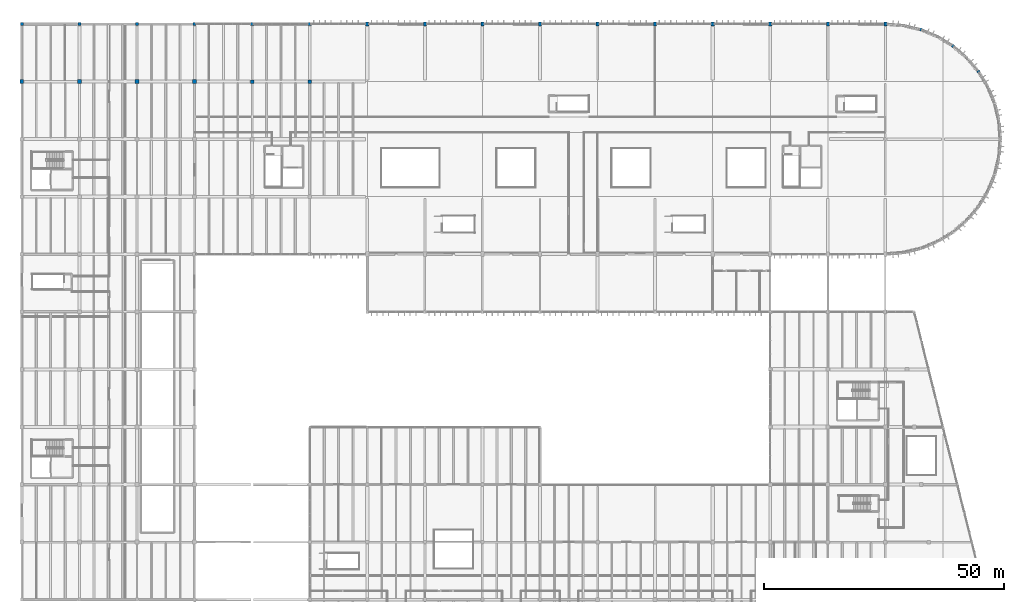
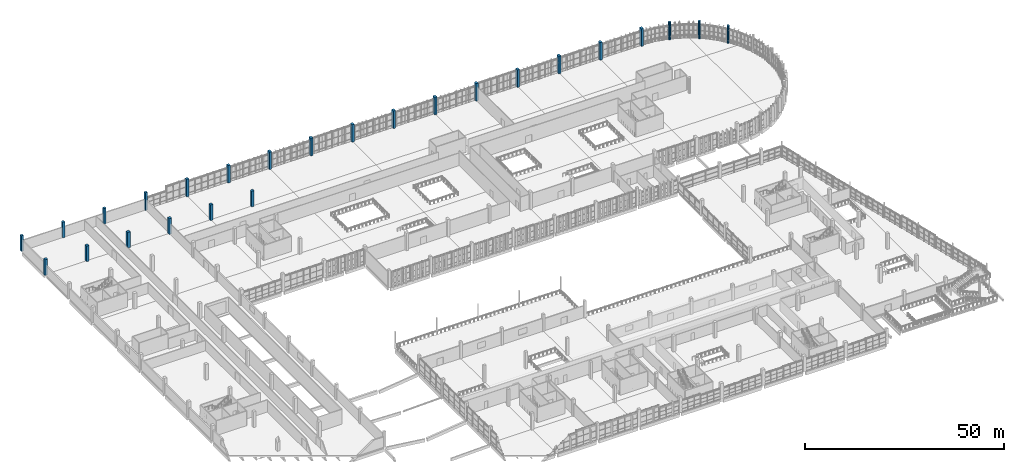
# One storey, part 15 of 112: 25 columns.
"""IFC4 building model written with IfcOpenShell, lengths in metres."""

from ifc_helpers import new_model, si_unit, direction, frame, origin, origin_2d, place, context, subcontext, project, spatial, rectangle, circle, extrude, material, material_profile, profile_set, type_object, element, save


model = new_model("IFC4")

# Units and contexts
model_context = context("Model", 3, precision=1e-05, world=origin(), true_north=direction((0.0, 1.0)))
body_context = subcontext(model_context, "Body", "Model", "MODEL_VIEW")
ifc_project = project(units=[si_unit("LENGTHUNIT", "METRE"), si_unit("AREAUNIT", "SQUARE_METRE"), si_unit("VOLUMEUNIT", "CUBIC_METRE"), si_unit("PLANEANGLEUNIT", "RADIAN"), si_unit("MASSUNIT", "GRAM", prefix="KILO")], contexts=[model_context])

# Site, building, storey
site_placement = place(None, origin())
site = spatial("IfcSite", under=ifc_project, at=site_placement, CompositionType="ELEMENT")
building_placement = place(site_placement, origin())
building = spatial("IfcBuilding", under=site, at=building_placement, Name="Kamomehara Wholesale Market", CompositionType="ELEMENT")
storey_placement = place(building_placement, frame((0.0, 0.0, 6.60009765625)))
storey = spatial("IfcBuildingStorey", under=building, at=storey_placement, Name="L01", CompositionType="ELEMENT", Elevation=6.60009765625)

# Columns
ifc_material_1 = material(Name="Precast concrete Fc45 (C40/50)", Category="concrete")
ifc_material_profile_1 = material_profile(ifc_material_1, circle(Radius=0.324951171875, at=origin_2d()), Name="PC-ARC-D650")
ifc_profile_set_1 = profile_set([ifc_material_profile_1], Name="Precast concrete Fc45 (C40/50)")
column_type_1 = type_object("IfcColumnType", Name="COL-ARC650", PredefinedType="COLUMN", material=ifc_profile_set_1)
for number, where, z_axis, x_axis, name in (
    (1, (187.416015625, 154.824951171875, 0.0), (0.0, 0.0, 1.0), (1.0, 0.0, 0.0), "Column CA-01 L01"),
    (2, (194.10693359375, 151.416015625, 0.0), (0.0, 0.0, 1.0), (1.0, 0.0, 0.0), "Column CA-01 L01"),
    (3, (199.416015625, 146.10693359375, 0.0), (0.0, 0.0, 1.0), (1.0, 0.0, 0.0), "Column CA-01 L01"),
):
    element("IfcColumn", number, at=place(storey_placement, frame(where, z_axis=z_axis, x_axis=x_axis)), inside=storey, type_object=column_type_1, Name=name, PredefinedType="COLUMN", context=body_context, shape_type="SweptSolid", body=[
        extrude(circle(Radius=0.324951171875, at=origin_2d()), origin(), (0.0, 0.0, 1.0), 5.39990234375),
    ])
ifc_material_2 = material(Name="Precast concrete Fc45 (C40/50)", Category="concrete")
ifc_material_profile_2 = material_profile(ifc_material_2, rectangle(XDim=0.64990234375, YDim=0.64990234375, at=origin_2d()), Name="PC-COL-650x650")
ifc_profile_set_2 = profile_set([ifc_material_profile_2], Name="Precast concrete Fc45 (C40/50)")
column_type_2 = type_object("IfcColumnType", Name="COL-PC650-EXT", PredefinedType="COLUMN", material=ifc_profile_set_2)
for number, where, z_axis, x_axis, name in (
    (4, (0.0, 156.0, 0.0), (0.0, 0.0, 1.0), (1.0, 0.0, 0.0), "Column C-06E L01"),
    (5, (12.0, 156.0, 0.0), (0.0, 0.0, 1.0), (1.0, 0.0, 0.0), "Column C-06E L01"),
    (6, (24.0, 156.0, 0.0), (0.0, 0.0, 1.0), (1.0, 0.0, 0.0), "Column C-06E L01"),
):
    element("IfcColumn", number, at=place(storey_placement, frame(where, z_axis=z_axis, x_axis=x_axis)), inside=storey, type_object=column_type_2, Name=name, PredefinedType="COLUMN", context=body_context, shape_type="SweptSolid", body=[
        extrude(rectangle(XDim=0.64990234375, YDim=0.64990234375, at=origin_2d()), origin(), (0.0, 0.0, 1.0), 4.7998046875),
    ])
column_1_placement = place(storey_placement, frame((36.0, 156.0, 0.0), z_axis=(0.0, 0.0, 1.0), x_axis=(1.0, 0.0, 0.0)))
element("IfcColumn", 7, at=column_1_placement, inside=storey, type_object=column_type_2, Name="Column C-06E L01", PredefinedType="COLUMN", context=body_context, shape_type="SweptSolid", body=[
    extrude(rectangle(XDim=0.64990234375, YDim=0.64990234375, at=origin_2d()), origin(), (0.0, 0.0, 1.0), 5.39990234375),
])
ifc_material_3 = material(Name="Precast concrete Fc45 (C40/50)", Category="concrete")
ifc_material_profile_3 = material_profile(ifc_material_3, rectangle(XDim=0.719970703125, YDim=0.719970703125, at=origin_2d()), Name="PC-COL-720x720")
ifc_profile_set_3 = profile_set([ifc_material_profile_3], Name="Precast concrete Fc45 (C40/50)")
column_type_3 = type_object("IfcColumnType", Name="COL-PC720", PredefinedType="COLUMN", material=ifc_profile_set_3)
column_2_placement = place(storey_placement, frame((48.0, 144.0, 0.0), z_axis=(0.0, 0.0, 1.0), x_axis=(1.0, 0.0, 0.0)))
element("IfcColumn", 8, at=column_2_placement, inside=storey, type_object=column_type_3, Name="Column C-14 L01", PredefinedType="COLUMN", context=body_context, shape_type="SweptSolid", body=[
    extrude(rectangle(XDim=0.719970703125, YDim=0.719970703125, at=origin_2d()), origin(), (0.0, 0.0, 1.0), 4.7998046875),
])
ifc_material_4 = material(Name="Precast concrete Fc45 (C40/50)", Category="concrete")
ifc_material_profile_4 = material_profile(ifc_material_4, rectangle(XDim=0.719970703125, YDim=0.719970703125, at=origin_2d()), Name="PC-COL-720x720")
ifc_profile_set_4 = profile_set([ifc_material_profile_4], Name="Precast concrete Fc45 (C40/50)")
column_type_4 = type_object("IfcColumnType", Name="COL-PC720-EXT", PredefinedType="COLUMN", material=ifc_profile_set_4)
column_3_placement = place(storey_placement, frame((48.0, 156.0, 0.0), z_axis=(0.0, 0.0, 1.0), x_axis=(1.0, 0.0, 0.0)))
element("IfcColumn", 9, at=column_3_placement, inside=storey, type_object=column_type_4, Name="Column C-14E L01", PredefinedType="COLUMN", context=body_context, shape_type="SweptSolid", body=[
    extrude(rectangle(XDim=0.719970703125, YDim=0.719970703125, at=origin_2d()), origin(), (0.0, 0.0, 1.0), 5.39990234375),
])
column_4_placement = place(storey_placement, frame((60.0, 144.0, 0.0), z_axis=(0.0, 0.0, 1.0), x_axis=(1.0, 0.0, 0.0)))
element("IfcColumn", 10, at=column_4_placement, inside=storey, type_object=column_type_4, Name="Column C-14E L01", PredefinedType="COLUMN", context=body_context, shape_type="SweptSolid", body=[
    extrude(rectangle(XDim=0.719970703125, YDim=0.719970703125, at=origin_2d()), origin(), (0.0, 0.0, 1.0), 4.7998046875),
])
column_5_placement = place(storey_placement, frame((60.0, 156.0, 0.0), z_axis=(0.0, 0.0, 1.0), x_axis=(1.0, 0.0, 0.0)))
element("IfcColumn", 11, at=column_5_placement, inside=storey, type_object=column_type_4, Name="Column C-14E L01", PredefinedType="COLUMN", context=body_context, shape_type="SweptSolid", body=[
    extrude(rectangle(XDim=0.719970703125, YDim=0.719970703125, at=origin_2d()), origin(), (0.0, 0.0, 1.0), 5.39990234375),
])
ifc_material_5 = material(Name="Precast concrete Fc45 (C40/50)", Category="concrete")
ifc_material_profile_5 = material_profile(ifc_material_5, rectangle(XDim=0.780029296875, YDim=0.780029296875, at=origin_2d()), Name="PC-COL-780x780")
ifc_profile_set_5 = profile_set([ifc_material_profile_5], Name="Precast concrete Fc45 (C40/50)")
column_type_5 = type_object("IfcColumnType", Name="COL-PC780", PredefinedType="COLUMN", material=ifc_profile_set_5)
for number, where, z_axis, x_axis, name in (
    (12, (12.0, 144.0, 0.0), (0.0, 0.0, 1.0), (1.0, 0.0, 0.0), "Column C-13 L01"),
    (13, (24.0, 144.0, 0.0), (0.0, 0.0, 1.0), (1.0, 0.0, 0.0), "Column C-13 L01"),
):
    element("IfcColumn", number, at=place(storey_placement, frame(where, z_axis=z_axis, x_axis=x_axis)), inside=storey, type_object=column_type_5, Name=name, PredefinedType="COLUMN", context=body_context, shape_type="SweptSolid", body=[
        extrude(rectangle(XDim=0.780029296875, YDim=0.780029296875, at=origin_2d()), origin(), (0.0, 0.0, 1.0), 4.7998046875),
    ])
ifc_material_6 = material(Name="Precast concrete Fc45 (C40/50)", Category="concrete")
ifc_material_profile_6 = material_profile(ifc_material_6, rectangle(XDim=0.780029296875, YDim=0.780029296875, at=origin_2d()), Name="PC-COL-780x780")
ifc_profile_set_6 = profile_set([ifc_material_profile_6], Name="Precast concrete Fc45 (C40/50)")
column_type_6 = type_object("IfcColumnType", Name="COL-PC780-EXT", PredefinedType="COLUMN", material=ifc_profile_set_6)
for number, where, z_axis, x_axis, name in (
    (14, (0.0, 144.0, 0.0), (0.0, 0.0, 1.0), (1.0, 0.0, 0.0), "Column C-13E L01"),
    (15, (36.0, 144.0, 0.0), (0.0, 0.0, 1.0), (1.0, 0.0, 0.0), "Column C-13E L01"),
):
    element("IfcColumn", number, at=place(storey_placement, frame(where, z_axis=z_axis, x_axis=x_axis)), inside=storey, type_object=column_type_6, Name=name, PredefinedType="COLUMN", context=body_context, shape_type="SweptSolid", body=[
        extrude(rectangle(XDim=0.780029296875, YDim=0.780029296875, at=origin_2d()), origin(), (0.0, 0.0, 1.0), 4.7998046875),
    ])
ifc_material_7 = material(Name="Precast concrete Fc45 (C40/50)", Category="concrete")
ifc_material_profile_7 = material_profile(ifc_material_7, rectangle(XDim=0.64990234375, YDim=0.89990234375, at=origin_2d()), Name="PC-COL-650x900")
ifc_profile_set_7 = profile_set([ifc_material_profile_7], Name="Precast concrete Fc45 (C40/50)")
column_type_7 = type_object("IfcColumnType", Name="COL-PCR900-EXT", PredefinedType="COLUMN", material=ifc_profile_set_7)
for number, where, z_axis, x_axis, name in (
    (16, (72.0, 156.0, 0.0), (0.0, 0.0, 1.0), (1.0, 0.0, 0.0), "Column C-10E L01"),
    (17, (84.0, 156.0, 0.0), (0.0, 0.0, 1.0), (1.0, 0.0, 0.0), "Column C-10E L01"),
    (18, (96.0, 156.0, 0.0), (0.0, 0.0, 1.0), (1.0, 0.0, 0.0), "Column C-10E L01"),
    (19, (108.0, 156.0, 0.0), (0.0, 0.0, 1.0), (1.0, 0.0, 0.0), "Column C-10E L01"),
    (20, (120.0, 156.0, 0.0), (0.0, 0.0, 1.0), (1.0, 0.0, 0.0), "Column C-10E L01"),
    (21, (132.0, 156.0, 0.0), (0.0, 0.0, 1.0), (1.0, 0.0, 0.0), "Column C-10E L01"),
    (22, (144.0, 156.0, 0.0), (0.0, 0.0, 1.0), (1.0, 0.0, 0.0), "Column C-10E L01"),
    (23, (156.0, 156.0, 0.0), (0.0, 0.0, 1.0), (1.0, 0.0, 0.0), "Column C-10E L01"),
    (24, (168.0, 156.0, 0.0), (0.0, 0.0, 1.0), (1.0, 0.0, 0.0), "Column C-10E L01"),
    (25, (180.0, 156.0, 0.0), (0.0, 0.0, 1.0), (1.0, 0.0, 0.0), "Column C-10E L01"),
):
    element("IfcColumn", number, at=place(storey_placement, frame(where, z_axis=z_axis, x_axis=x_axis)), inside=storey, type_object=column_type_7, Name=name, PredefinedType="COLUMN", context=body_context, shape_type="SweptSolid", body=[
        extrude(rectangle(XDim=0.64990234375, YDim=0.89990234375, at=origin_2d()), origin(), (0.0, 0.0, 1.0), 5.39990234375),
    ])

save(model, "model.ifc")
